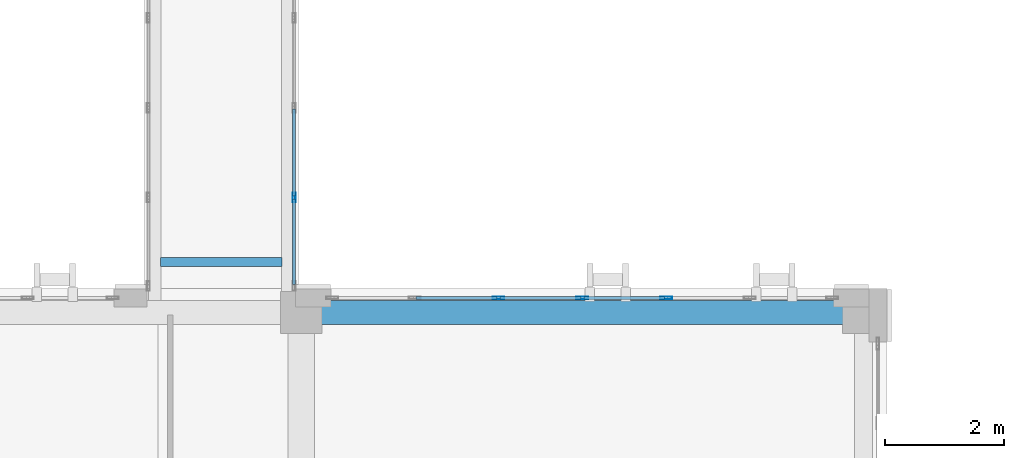
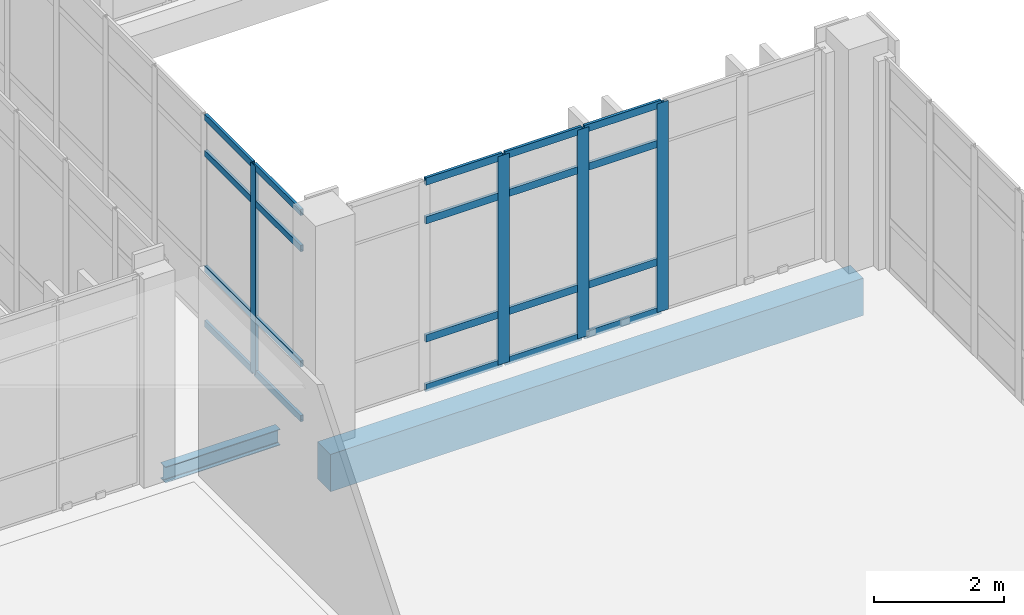
# One storey, part 44 of 193: 24 members, 2 beams, 2 elements without a shape of their own.
"""IFC4 building model written with IfcOpenShell, lengths in metres."""

from ifc_helpers import new_model, si_unit, direction, frame, origin, origin_2d, place, context, subcontext, project, spatial, rectangle, hollow_rectangle, i_section, extrude, material, layer, layer_set, material_profile, profile_set, type_object, element, aggregate, save


model = new_model("IFC4")

# Units and contexts
model_context = context("Model", 3, precision=1e-05, world=origin(), true_north=direction((0.0, 1.0)))
body_context = subcontext(model_context, "Body", "Model", "MODEL_VIEW")
ifc_project = project(units=[si_unit("LENGTHUNIT", "METRE"), si_unit("AREAUNIT", "SQUARE_METRE"), si_unit("VOLUMEUNIT", "CUBIC_METRE"), si_unit("PLANEANGLEUNIT", "RADIAN"), si_unit("MASSUNIT", "GRAM", prefix="KILO")], contexts=[model_context])

# Site, building, storey
site_placement = place(None, origin())
site = spatial("IfcSite", under=ifc_project, at=site_placement, CompositionType="ELEMENT")
building_placement = place(site_placement, origin())
building = spatial("IfcBuilding", under=site, at=building_placement, Name="Qalavern Law Courts", CompositionType="ELEMENT")
storey_placement = place(building_placement, frame((0.0, 0.0, 10.199951171875)))
storey = spatial("IfcBuildingStorey", under=building, at=storey_placement, Name="L02", CompositionType="ELEMENT", Elevation=10.199951171875)

# Curtain wall, member
ifc_material_1 = material(Name="Anodised aluminium and insulated glazing", Category="aluminium")
ifc_layer_1 = layer(ifc_material_1, 0.14990234375)
ifc_layer_set_1 = layer_set([ifc_layer_1], Name="Anodised aluminium and insulated glazing")
curtain_wall_type_1 = type_object("IfcCurtainWallType", Name="ENV-CW-BRG", PredefinedType="USERDEFINED", material=ifc_layer_set_1)
curtain_wall_1_placement = place(storey_placement, origin())
curtain_wall_1 = element("IfcCurtainWall", 1, at=curtain_wall_1_placement, inside=storey, type_object=curtain_wall_type_1, Name="Bridge BR-V2-V4 glazed curtain wall L02-2", ObjectType="UNITISED CURTAIN WALL", PredefinedType="USERDEFINED")
ifc_material_2 = material(Name="Anodised aluminium", Category="aluminium")
ifc_material_profile_1 = material_profile(ifc_material_2, hollow_rectangle(XDim=0.048095703125, YDim=0.159912109375, WallThickness=0.00390625, at=origin_2d()), Name="ALU MULLION 48x160")
ifc_profile_set_1 = profile_set([ifc_material_profile_1], Name="Anodised aluminium")
member_type_1 = type_object("IfcMemberType", Name="ENV-CWM-48x160", PredefinedType="MULLION", material=ifc_profile_set_1)
member_1_placement = place(storey_placement, frame((91.22509765625, 31.931396484375, 0.0), z_axis=(0.0, 0.0, 1.0), x_axis=(-1.0, 0.0, 0.0)))
member_1 = element("IfcMember", 2, at=member_1_placement, type_object=member_type_1, Name="CW-06 mullion 2", PredefinedType="MULLION", context=body_context, shape_type="SweptSolid", body=[
    extrude(hollow_rectangle(XDim=0.048095703125, YDim=0.159912109375, WallThickness=0.00390625, at=origin_2d()), origin(), (0.0, 0.0, 1.0), 3.9150390625),
])

# Curtain wall, members
ifc_layer_2 = layer(ifc_material_1, 0.18505859375)
ifc_layer_set_2 = layer_set([ifc_layer_2], Name="Anodised aluminium and insulated glazing")
curtain_wall_type_2 = type_object("IfcCurtainWallType", Name="ENV-CW-HALL", PredefinedType="USERDEFINED", material=ifc_layer_set_2)
curtain_wall_2_placement = place(storey_placement, origin())
curtain_wall_2 = element("IfcCurtainWall", 3, at=curtain_wall_2_placement, inside=storey, type_object=curtain_wall_type_2, Name="V2 unitised curtain wall L02 north 1", ObjectType="UNITISED CURTAIN WALL", PredefinedType="USERDEFINED")
ifc_material_profile_2 = material_profile(ifc_material_2, hollow_rectangle(XDim=0.048095703125, YDim=0.199951171875, WallThickness=0.00439453125, at=origin_2d()), Name="ALU MULLION 48x200")
ifc_profile_set_2 = profile_set([ifc_material_profile_2], Name="Anodised aluminium")
member_type_2 = type_object("IfcMemberType", Name="ENV-CWM-48x200", PredefinedType="MULLION", material=ifc_profile_set_2)
member_2_placement = place(storey_placement, frame((97.48193359375, 30.2451171875, 0.0), z_axis=(0.0, 0.0, 1.0), x_axis=(0.0, -1.0, 0.0)))
member_2 = element("IfcMember", 4, at=member_2_placement, type_object=member_type_2, Name="CW-02 mullion 3", PredefinedType="MULLION", context=body_context, shape_type="SweptSolid", body=[
    extrude(hollow_rectangle(XDim=0.048095703125, YDim=0.199951171875, WallThickness=0.00439453125, at=origin_2d()), origin(), (0.0, 0.0, 1.0), 3.9150390625),
])
member_3_placement = place(storey_placement, frame((96.07275390625, 30.2451171875, 0.0), z_axis=(0.0, 0.0, 1.0), x_axis=(0.0, -1.0, 0.0)))
member_3 = element("IfcMember", 5, at=member_3_placement, type_object=member_type_2, Name="CW-02 mullion 4", PredefinedType="MULLION", context=body_context, shape_type="SweptSolid", body=[
    extrude(hollow_rectangle(XDim=0.048095703125, YDim=0.199951171875, WallThickness=0.00439453125, at=origin_2d()), origin(), (0.0, 0.0, 1.0), 3.9150390625),
])
member_4_placement = place(storey_placement, frame((94.663818359375, 30.2451171875, 0.0), z_axis=(0.0, 0.0, 1.0), x_axis=(0.0, -1.0, 0.0)))
member_4 = element("IfcMember", 6, at=member_4_placement, type_object=member_type_2, Name="CW-02 mullion 5", PredefinedType="MULLION", context=body_context, shape_type="SweptSolid", body=[
    extrude(hollow_rectangle(XDim=0.048095703125, YDim=0.199951171875, WallThickness=0.00439453125, at=origin_2d()), origin(), (0.0, 0.0, 1.0), 3.9150390625),
])

# Member
ifc_material_profile_3 = material_profile(ifc_material_2, hollow_rectangle(XDim=0.048095703125, YDim=0.1201171875, WallThickness=0.00390625, at=origin_2d()), Name="ALU TRANSOM 48x120")
ifc_profile_set_3 = profile_set([ifc_material_profile_3], Name="Anodised aluminium")
member_type_3 = type_object("IfcMemberType", Name="ENV-CWT-48x120", PredefinedType="USERDEFINED", material=ifc_profile_set_3)
member_5_placement = place(storey_placement, frame((91.22509765625, 30.468017578125, 0.024169921875), z_axis=(0.0, 1.0, 0.0), x_axis=(-1.0, 0.0, 0.0)))
member_5 = element("IfcMember", 7, at=member_5_placement, type_object=member_type_3, Name="CW-06 transom 1.1", ObjectType="TRANSOM", PredefinedType="USERDEFINED", context=body_context, shape_type="SweptSolid", body=[
    extrude(hollow_rectangle(XDim=0.048095703125, YDim=0.1201171875, WallThickness=0.00390625, at=origin_2d()), origin(), (0.0, 0.0, 1.0), 1.439453125),
])

member_6_placement = place(storey_placement, frame((91.22509765625, 30.468017578125, 1.050048828125), z_axis=(0.0, 1.0, 0.0), x_axis=(-1.0, 0.0, 0.0)))
member_6 = element("IfcMember", 8, at=member_6_placement, type_object=member_type_3, Name="CW-06 transom 1.2", ObjectType="TRANSOM", PredefinedType="USERDEFINED", context=body_context, shape_type="SweptSolid", body=[
    extrude(hollow_rectangle(XDim=0.048095703125, YDim=0.1201171875, WallThickness=0.00390625, at=origin_2d()), origin(), (0.0, 0.0, 1.0), 1.439453125),
])

member_7_placement = place(storey_placement, frame((91.22509765625, 30.468017578125, 3.215087890625), z_axis=(0.0, 1.0, 0.0), x_axis=(-1.0, 0.0, 0.0)))
member_7 = element("IfcMember", 9, at=member_7_placement, type_object=member_type_3, Name="CW-06 transom 1.3", ObjectType="TRANSOM", PredefinedType="USERDEFINED", context=body_context, shape_type="SweptSolid", body=[
    extrude(hollow_rectangle(XDim=0.048095703125, YDim=0.1201171875, WallThickness=0.00390625, at=origin_2d()), origin(), (0.0, 0.0, 1.0), 1.439453125),
])

member_8_placement = place(storey_placement, frame((91.22509765625, 30.468017578125, 3.89111328125), z_axis=(0.0, 1.0, 0.0), x_axis=(-1.0, 0.0, 0.0)))
member_8 = element("IfcMember", 10, at=member_8_placement, type_object=member_type_3, Name="CW-06 transom 1.4", ObjectType="TRANSOM", PredefinedType="USERDEFINED", context=body_context, shape_type="SweptSolid", body=[
    extrude(hollow_rectangle(XDim=0.048095703125, YDim=0.1201171875, WallThickness=0.00390625, at=origin_2d()), origin(), (0.0, 0.0, 1.0), 1.439453125),
])

member_9_placement = place(storey_placement, frame((91.22509765625, 31.955322265625, 0.024169921875), z_axis=(0.0, 1.0, 0.0), x_axis=(-1.0, 0.0, 0.0)))
member_9 = element("IfcMember", 11, at=member_9_placement, type_object=member_type_3, Name="CW-06 transom 2.1", ObjectType="TRANSOM", PredefinedType="USERDEFINED", context=body_context, shape_type="SweptSolid", body=[
    extrude(hollow_rectangle(XDim=0.048095703125, YDim=0.1201171875, WallThickness=0.00390625, at=origin_2d()), origin(), (0.0, 0.0, 1.0), 1.463623046875),
])

member_10_placement = place(storey_placement, frame((91.22509765625, 31.955322265625, 1.050048828125), z_axis=(0.0, 1.0, 0.0), x_axis=(-1.0, 0.0, 0.0)))
member_10 = element("IfcMember", 12, at=member_10_placement, type_object=member_type_3, Name="CW-06 transom 2.2", ObjectType="TRANSOM", PredefinedType="USERDEFINED", context=body_context, shape_type="SweptSolid", body=[
    extrude(hollow_rectangle(XDim=0.048095703125, YDim=0.1201171875, WallThickness=0.00390625, at=origin_2d()), origin(), (0.0, 0.0, 1.0), 1.463623046875),
])

member_11_placement = place(storey_placement, frame((91.22509765625, 31.955322265625, 3.215087890625), z_axis=(0.0, 1.0, 0.0), x_axis=(-1.0, 0.0, 0.0)))
member_11 = element("IfcMember", 13, at=member_11_placement, type_object=member_type_3, Name="CW-06 transom 2.3", ObjectType="TRANSOM", PredefinedType="USERDEFINED", context=body_context, shape_type="SweptSolid", body=[
    extrude(hollow_rectangle(XDim=0.048095703125, YDim=0.1201171875, WallThickness=0.00390625, at=origin_2d()), origin(), (0.0, 0.0, 1.0), 1.463623046875),
])

member_12_placement = place(storey_placement, frame((91.22509765625, 31.955322265625, 3.89111328125), z_axis=(0.0, 1.0, 0.0), x_axis=(-1.0, 0.0, 0.0)))
member_12 = element("IfcMember", 14, at=member_12_placement, type_object=member_type_3, Name="CW-06 transom 2.4", ObjectType="TRANSOM", PredefinedType="USERDEFINED", context=body_context, shape_type="SweptSolid", body=[
    extrude(hollow_rectangle(XDim=0.048095703125, YDim=0.1201171875, WallThickness=0.00390625, at=origin_2d()), origin(), (0.0, 0.0, 1.0), 1.463623046875),
])

aggregate(curtain_wall_1, [member_1, member_5, member_6, member_7, member_8, member_9, member_10, member_11, member_12])

ifc_material_profile_4 = material_profile(ifc_material_2, hollow_rectangle(XDim=0.048095703125, YDim=0.139892578125, WallThickness=0.00390625, at=origin_2d()), Name="ALU TRANSOM 48x140")
ifc_profile_set_4 = profile_set([ifc_material_profile_4], Name="Anodised aluminium")
member_type_4 = type_object("IfcMemberType", Name="ENV-CWT-48x140", PredefinedType="USERDEFINED", material=ifc_profile_set_4)
member_13_placement = place(storey_placement, frame((97.4580078125, 30.2451171875, 0.024169921875), z_axis=(-1.0, 0.0, 0.0), x_axis=(0.0, -1.0, 0.0)))
member_13 = element("IfcMember", 15, at=member_13_placement, type_object=member_type_4, Name="CW-02 transom 3.1", ObjectType="TRANSOM", PredefinedType="USERDEFINED", context=body_context, shape_type="SweptSolid", body=[
    extrude(hollow_rectangle(XDim=0.048095703125, YDim=0.139892578125, WallThickness=0.00390625, at=origin_2d()), origin(), (0.0, 0.0, 1.0), 1.361083984375),
])

member_14_placement = place(storey_placement, frame((97.4580078125, 30.2451171875, 0.949951171875), z_axis=(-1.0, 0.0, 0.0), x_axis=(0.0, -1.0, 0.0)))
member_14 = element("IfcMember", 16, at=member_14_placement, type_object=member_type_4, Name="CW-02 transom 3.2", ObjectType="TRANSOM", PredefinedType="USERDEFINED", context=body_context, shape_type="SweptSolid", body=[
    extrude(hollow_rectangle(XDim=0.048095703125, YDim=0.139892578125, WallThickness=0.00390625, at=origin_2d()), origin(), (0.0, 0.0, 1.0), 1.361083984375),
])

member_15_placement = place(storey_placement, frame((97.4580078125, 30.2451171875, 3.1650390625), z_axis=(-1.0, 0.0, 0.0), x_axis=(0.0, -1.0, 0.0)))
member_15 = element("IfcMember", 17, at=member_15_placement, type_object=member_type_4, Name="CW-02 transom 3.3", ObjectType="TRANSOM", PredefinedType="USERDEFINED", context=body_context, shape_type="SweptSolid", body=[
    extrude(hollow_rectangle(XDim=0.048095703125, YDim=0.139892578125, WallThickness=0.00390625, at=origin_2d()), origin(), (0.0, 0.0, 1.0), 1.361083984375),
])

member_16_placement = place(storey_placement, frame((97.4580078125, 30.2451171875, 3.89111328125), z_axis=(-1.0, 0.0, 0.0), x_axis=(0.0, -1.0, 0.0)))
member_16 = element("IfcMember", 18, at=member_16_placement, type_object=member_type_4, Name="CW-02 transom 3.4", ObjectType="TRANSOM", PredefinedType="USERDEFINED", context=body_context, shape_type="SweptSolid", body=[
    extrude(hollow_rectangle(XDim=0.048095703125, YDim=0.139892578125, WallThickness=0.00390625, at=origin_2d()), origin(), (0.0, 0.0, 1.0), 1.361083984375),
])

member_17_placement = place(storey_placement, frame((96.048828125, 30.2451171875, 0.024169921875), z_axis=(-1.0, 0.0, 0.0), x_axis=(0.0, -1.0, 0.0)))
member_17 = element("IfcMember", 19, at=member_17_placement, type_object=member_type_4, Name="CW-02 transom 4.1", ObjectType="TRANSOM", PredefinedType="USERDEFINED", context=body_context, shape_type="SweptSolid", body=[
    extrude(hollow_rectangle(XDim=0.048095703125, YDim=0.139892578125, WallThickness=0.00390625, at=origin_2d()), origin(), (0.0, 0.0, 1.0), 1.361083984375),
])

member_18_placement = place(storey_placement, frame((96.048828125, 30.2451171875, 0.949951171875), z_axis=(-1.0, 0.0, 0.0), x_axis=(0.0, -1.0, 0.0)))
member_18 = element("IfcMember", 20, at=member_18_placement, type_object=member_type_4, Name="CW-02 transom 4.2", ObjectType="TRANSOM", PredefinedType="USERDEFINED", context=body_context, shape_type="SweptSolid", body=[
    extrude(hollow_rectangle(XDim=0.048095703125, YDim=0.139892578125, WallThickness=0.00390625, at=origin_2d()), origin(), (0.0, 0.0, 1.0), 1.361083984375),
])

member_19_placement = place(storey_placement, frame((96.048828125, 30.2451171875, 3.1650390625), z_axis=(-1.0, 0.0, 0.0), x_axis=(0.0, -1.0, 0.0)))
member_19 = element("IfcMember", 21, at=member_19_placement, type_object=member_type_4, Name="CW-02 transom 4.3", ObjectType="TRANSOM", PredefinedType="USERDEFINED", context=body_context, shape_type="SweptSolid", body=[
    extrude(hollow_rectangle(XDim=0.048095703125, YDim=0.139892578125, WallThickness=0.00390625, at=origin_2d()), origin(), (0.0, 0.0, 1.0), 1.361083984375),
])

member_20_placement = place(storey_placement, frame((96.048828125, 30.2451171875, 3.89111328125), z_axis=(-1.0, 0.0, 0.0), x_axis=(0.0, -1.0, 0.0)))
member_20 = element("IfcMember", 22, at=member_20_placement, type_object=member_type_4, Name="CW-02 transom 4.4", ObjectType="TRANSOM", PredefinedType="USERDEFINED", context=body_context, shape_type="SweptSolid", body=[
    extrude(hollow_rectangle(XDim=0.048095703125, YDim=0.139892578125, WallThickness=0.00390625, at=origin_2d()), origin(), (0.0, 0.0, 1.0), 1.361083984375),
])

member_21_placement = place(storey_placement, frame((94.639892578125, 30.2451171875, 0.024169921875), z_axis=(-1.0, 0.0, 0.0), x_axis=(0.0, -1.0, 0.0)))
member_21 = element("IfcMember", 23, at=member_21_placement, type_object=member_type_4, Name="CW-02 transom 5.1", ObjectType="TRANSOM", PredefinedType="USERDEFINED", context=body_context, shape_type="SweptSolid", body=[
    extrude(hollow_rectangle(XDim=0.048095703125, YDim=0.139892578125, WallThickness=0.00390625, at=origin_2d()), origin(), (0.0, 0.0, 1.0), 1.361083984375),
])

member_22_placement = place(storey_placement, frame((94.639892578125, 30.2451171875, 0.949951171875), z_axis=(-1.0, 0.0, 0.0), x_axis=(0.0, -1.0, 0.0)))
member_22 = element("IfcMember", 24, at=member_22_placement, type_object=member_type_4, Name="CW-02 transom 5.2", ObjectType="TRANSOM", PredefinedType="USERDEFINED", context=body_context, shape_type="SweptSolid", body=[
    extrude(hollow_rectangle(XDim=0.048095703125, YDim=0.139892578125, WallThickness=0.00390625, at=origin_2d()), origin(), (0.0, 0.0, 1.0), 1.361083984375),
])

member_23_placement = place(storey_placement, frame((94.639892578125, 30.2451171875, 3.1650390625), z_axis=(-1.0, 0.0, 0.0), x_axis=(0.0, -1.0, 0.0)))
member_23 = element("IfcMember", 25, at=member_23_placement, type_object=member_type_4, Name="CW-02 transom 5.3", ObjectType="TRANSOM", PredefinedType="USERDEFINED", context=body_context, shape_type="SweptSolid", body=[
    extrude(hollow_rectangle(XDim=0.048095703125, YDim=0.139892578125, WallThickness=0.00390625, at=origin_2d()), origin(), (0.0, 0.0, 1.0), 1.361083984375),
])

member_24_placement = place(storey_placement, frame((94.639892578125, 30.2451171875, 3.89111328125), z_axis=(-1.0, 0.0, 0.0), x_axis=(0.0, -1.0, 0.0)))
member_24 = element("IfcMember", 26, at=member_24_placement, type_object=member_type_4, Name="CW-02 transom 5.4", ObjectType="TRANSOM", PredefinedType="USERDEFINED", context=body_context, shape_type="SweptSolid", body=[
    extrude(hollow_rectangle(XDim=0.048095703125, YDim=0.139892578125, WallThickness=0.00390625, at=origin_2d()), origin(), (0.0, 0.0, 1.0), 1.361083984375),
])

aggregate(curtain_wall_2, [member_2, member_3, member_4, member_13, member_14, member_15, member_16, member_17, member_18, member_19, member_20, member_21, member_22, member_23, member_24])

# Beams
ifc_material_3 = material(Name="Steel S355", Category="steel")
ifc_material_profile_5 = material_profile(ifc_material_3, i_section(OverallWidth=0.14990234375, OverallDepth=0.300048828125, WebThickness=0.007080078125, FlangeThickness=0.0107421875, FilletRadius=0.014892578125, at=origin_2d()), Name="IPE 300")
ifc_profile_set_5 = profile_set([ifc_material_profile_5], Name="Steel S355")
beam_type_1 = type_object("IfcBeamType", Name="STR-JST-IPE300", PredefinedType="JOIST", material=ifc_profile_set_5)
beam_1_placement = place(storey_placement, frame((88.97998046875, 30.85009765625, -0.43994140625), z_axis=(1.0, 0.0, 0.0), x_axis=(0.0, 1.0, 0.0)))
element("IfcBeam", 27, at=beam_1_placement, inside=storey, type_object=beam_type_1, Name="Bridge BR-V2-V4 cross beam 1 L02", PredefinedType="JOIST", context=body_context, shape_type="SweptSolid", body=[
    extrude(i_section(OverallWidth=0.14990234375, OverallDepth=0.300048828125, WebThickness=0.007080078125, FlangeThickness=0.0107421875, FilletRadius=0.014892578125, at=origin_2d()), origin(), (0.0, 0.0, 1.0), 2.0400390625),
])
ifc_material_4 = material(Name="Concrete C40/50", Category="concrete")
ifc_material_profile_6 = material_profile(ifc_material_4, rectangle(XDim=0.39990234375, YDim=0.699951171875, at=origin_2d()), Name="RC 400x700")
ifc_profile_set_6 = profile_set([ifc_material_profile_6], Name="Concrete C40/50")
beam_type_2 = type_object("IfcBeamType", Name="STR-SP-RC400x700", PredefinedType="SPANDREL", material=ifc_profile_set_6)
beam_2_placement = place(storey_placement, frame((91.345703125, 30.0, -0.639892578125), z_axis=(1.0, 0.0, 0.0), x_axis=(0.0, 1.0, 0.0)))
element("IfcBeam", 28, at=beam_2_placement, inside=storey, type_object=beam_type_2, Name="V2 X-beam 4-7 L02", PredefinedType="SPANDREL", context=body_context, shape_type="SweptSolid", body=[
    extrude(rectangle(XDim=0.39990234375, YDim=0.699951171875, at=origin_2d()), origin(), (0.0, 0.0, 1.0), 9.454345703125),
])

save(model, "model.ifc")
